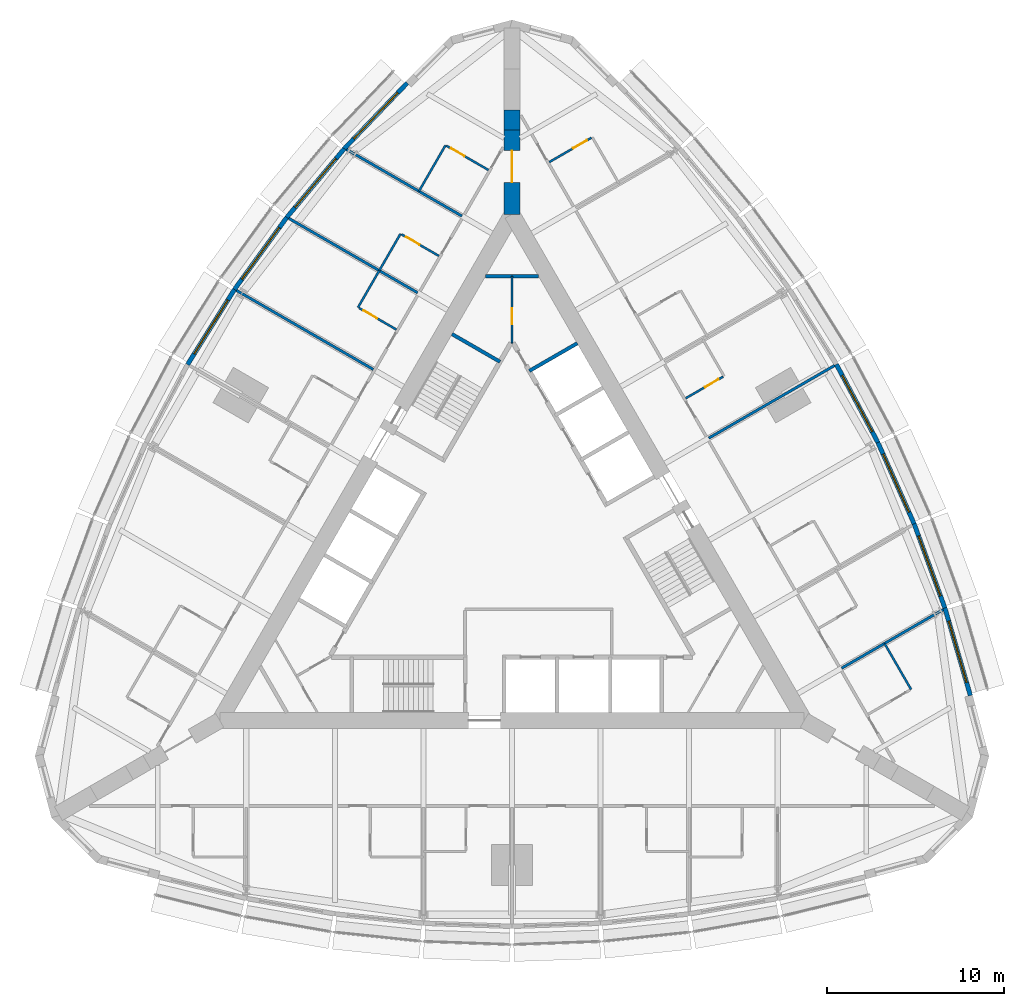
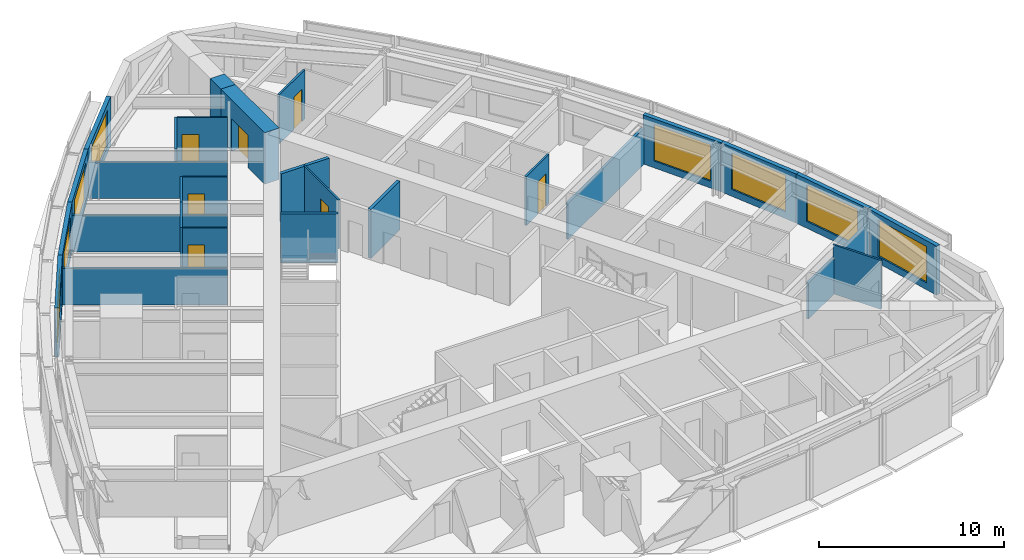
# One storey, part 12 of 14: 28 walls, 8 windows, 7 doors, 15 openings.
"""IFC4 building model written with IfcOpenShell, lengths in metres."""

from ifc_helpers import new_model, si_unit, direction, frame, frame_2d, origin, place, context, subcontext, project, spatial, rectangle, extrude, material, layer, layer_set, type_object, element, fill, save


model = new_model("IFC4")

# Units and contexts
model_context = context("Model", 3, precision=1e-05, world=origin(), true_north=direction((0.0, 1.0)))
body_context = subcontext(model_context, "Body", "Model", "MODEL_VIEW")
ifc_project = project(units=[si_unit("LENGTHUNIT", "METRE"), si_unit("AREAUNIT", "SQUARE_METRE"), si_unit("VOLUMEUNIT", "CUBIC_METRE"), si_unit("PLANEANGLEUNIT", "RADIAN"), si_unit("MASSUNIT", "GRAM", prefix="KILO")], contexts=[model_context])

# Site, building, storey
site_placement = place(None, origin())
site = spatial("IfcSite", under=ifc_project, at=site_placement, CompositionType="ELEMENT")
building_placement = place(site_placement, origin())
building = spatial("IfcBuilding", under=site, at=building_placement, Name="Trikona Tower", CompositionType="ELEMENT")
storey_placement = place(building_placement, frame((0.0, 0.0, 128.300048828125)))
storey = spatial("IfcBuildingStorey", under=building, at=storey_placement, Name="L33", CompositionType="ELEMENT", Elevation=128.300048828125)

# Wall
ifc_material_1 = material(Name="Metal stud and cement board", Category="gypsum")
ifc_layer_1 = layer(ifc_material_1, 0.1201171875)
ifc_layer_set_1 = layer_set([ifc_layer_1], Name="Bathroom wall 120")
wall_type_1 = type_object("IfcWallType", Name="Bathroom wall 120", PredefinedType="PLUMBINGWALL", material=ifc_layer_set_1)
wall_1_placement = place(storey_placement, frame((22.53271484375, -7.775390625, 0.0), z_axis=(0.0, 0.0, 1.0), x_axis=(-0.499990139034, 0.866031096941, 0.0)))
element("IfcWall", 1, at=wall_1_placement, inside=storey, type_object=wall_type_1, Name="Bathroom wall 3306", PredefinedType="PLUMBINGWALL", context=body_context, shape_type="SweptSolid", body=[
    extrude(rectangle(XDim=3.0, YDim=0.1201171875, at=frame_2d((1.5, 0.0))), origin(), (0.0, 0.0, 1.0), 3.23486328125),
])

# Wall, opening, door
wall_2_placement = place(storey_placement, frame((9.807861328125, 8.664794921875, 0.0), z_axis=(0.0, 0.0, 1.0), x_axis=(0.866023955769, 0.500002508028, 0.0)))
wall_2 = element("IfcWall", 2, at=wall_2_placement, inside=storey, type_object=wall_type_1, Name="Bathroom wall 3309", PredefinedType="PLUMBINGWALL", context=body_context, shape_type="SweptSolid", body=[
    extrude(rectangle(XDim=2.43994140625, YDim=0.1201171875, at=frame_2d((1.219970703125, 0.0))), origin(), (0.0, 0.0, 1.0), 3.23486328125),
])
opening_1_placement = place(wall_2_placement, frame((1.25, 0.0, 0.0)))
opening_1 = element("IfcOpeningElement", 3, at=opening_1_placement, cuts=wall_2, Name="Opening D2", PredefinedType="OPENING", context=body_context, shape_type="SweptSolid", body=[
    extrude(rectangle(XDim=0.89990234375, YDim=2.1298828125, at=frame_2d((0.449951171875, 1.06494140625))), frame((0.0, 0.070068359375, 0.0), z_axis=(0.0, -1.0, 0.0), x_axis=(1.0, 0.0, 0.0)), (0.0, 0.0, 1.0), 0.14013671875),
])
ifc_material_2 = material(Name="Steel door frame with solid-core timber leaf", Category="steel")
door_type_1 = type_object("IfcDoorType", Name="Bathroom door 900x2130", OperationType="SLIDING_TO_LEFT", PredefinedType="DOOR", material=ifc_material_2)
door_1_placement = place(opening_1_placement, origin())
door_1 = element("IfcDoor", 4, at=door_1_placement, inside=storey, type_object=door_type_1, Name="Bathroom door 3309", OperationType="SLIDING_TO_LEFT", OverallHeight=2.1298828125, OverallWidth=0.89990234375, PredefinedType="DOOR", context=body_context, shape_type="SweptSolid", body=[
    extrude(rectangle(XDim=0.89990234375, YDim=2.1298828125, at=frame_2d((0.449951171875, 1.06494140625))), frame((0.0, 0.02490234375, 0.0), z_axis=(0.0, -1.0, 0.0), x_axis=(1.0, 0.0, 0.0)), (0.0, 0.0, 1.0), 0.050048828125),
])
fill(opening_1, door_1)

wall_3_placement = place(storey_placement, frame((2.10791015625, 22.001708984375, 0.0), z_axis=(0.0, 0.0, 1.0), x_axis=(0.866035715982, 0.499982138324, 0.0)))
wall_3 = element("IfcWall", 5, at=wall_3_placement, inside=storey, type_object=wall_type_1, Name="Bathroom wall 3311", PredefinedType="PLUMBINGWALL", context=body_context, shape_type="SweptSolid", body=[
    extrude(rectangle(XDim=2.73974609375, YDim=0.1201171875, at=frame_2d((1.369873046875, 0.0))), origin(), (0.0, 0.0, 1.0), 3.23486328125),
])
opening_2_placement = place(wall_3_placement, frame((1.550048828125, 0.0, 0.0)))
opening_2 = element("IfcOpeningElement", 6, at=opening_2_placement, cuts=wall_3, Name="Opening D2", PredefinedType="OPENING", context=body_context, shape_type="SweptSolid", body=[
    extrude(rectangle(XDim=0.89990234375, YDim=2.1298828125, at=frame_2d((0.449951171875, 1.06494140625))), frame((0.0, 0.070068359375, 0.0), z_axis=(0.0, -1.0, 0.0), x_axis=(1.0, 0.0, 0.0)), (0.0, 0.0, 1.0), 0.14013671875),
])
door_2_placement = place(opening_2_placement, origin())
door_2 = element("IfcDoor", 7, at=door_2_placement, inside=storey, type_object=door_type_1, Name="Bathroom door 3311", OperationType="SLIDING_TO_LEFT", OverallHeight=2.1298828125, OverallWidth=0.89990234375, PredefinedType="DOOR", context=body_context, shape_type="SweptSolid", body=[
    extrude(rectangle(XDim=0.89990234375, YDim=2.1298828125, at=frame_2d((0.449951171875, 1.06494140625))), frame((0.0, 0.02490234375, 0.0), z_axis=(0.0, -1.0, 0.0), x_axis=(1.0, 0.0, 0.0)), (0.0, 0.0, 1.0), 0.050048828125),
])
fill(opening_2, door_2)

# Wall
wall_4_placement = place(storey_placement, frame((-3.75341796875, 22.95166015625, 0.0), z_axis=(0.0, 0.0, 1.0), x_axis=(-0.499990139034, -0.866031096941, 0.0)))
element("IfcWall", 8, at=wall_4_placement, inside=storey, type_object=wall_type_1, Name="Bathroom wall 3312", PredefinedType="PLUMBINGWALL", context=body_context, shape_type="SweptSolid", body=[
    extrude(rectangle(XDim=3.0, YDim=0.1201171875, at=frame_2d((1.5, 0.0))), origin(), (0.0, 0.0, 1.0), 3.23486328125),
])

# Wall, opening, door
wall_5_placement = place(storey_placement, frame((-1.32861328125, 21.551513671875, 0.0), z_axis=(0.0, 0.0, 1.0), x_axis=(-0.865997131366, 0.500048966069, 0.0)))
wall_5 = element("IfcWall", 9, at=wall_5_placement, inside=storey, type_object=wall_type_1, Name="Bathroom wall 3312", PredefinedType="PLUMBINGWALL", context=body_context, shape_type="SweptSolid", body=[
    extrude(rectangle(XDim=2.739990234375, YDim=0.1201171875, at=frame_2d((1.3701171875, 0.0))), origin(), (0.0, 0.0, 1.0), 3.23486328125),
])
opening_3_placement = place(wall_5_placement, frame((1.550048828125, 0.0, 0.0)))
opening_3 = element("IfcOpeningElement", 10, at=opening_3_placement, cuts=wall_5, Name="Opening D2", PredefinedType="OPENING", context=body_context, shape_type="SweptSolid", body=[
    extrude(rectangle(XDim=0.89990234375, YDim=2.1298828125, at=frame_2d((0.449951171875, 1.06494140625))), frame((0.0, 0.070068359375, 0.0), z_axis=(0.0, -1.0, 0.0), x_axis=(1.0, 0.0, 0.0)), (0.0, 0.0, 1.0), 0.14013671875),
])
door_3_placement = place(opening_3_placement, origin())
door_3 = element("IfcDoor", 11, at=door_3_placement, inside=storey, type_object=door_type_1, Name="Bathroom door 3312", OperationType="SLIDING_TO_LEFT", OverallHeight=2.1298828125, OverallWidth=0.89990234375, PredefinedType="DOOR", context=body_context, shape_type="SweptSolid", body=[
    extrude(rectangle(XDim=0.89990234375, YDim=2.1298828125, at=frame_2d((0.449951171875, 1.06494140625))), frame((0.0, 0.02490234375, 0.0), z_axis=(0.0, -1.0, 0.0), x_axis=(1.0, 0.0, 0.0)), (0.0, 0.0, 1.0), 0.050048828125),
])
fill(opening_3, door_3)

# Wall
wall_6_placement = place(storey_placement, frame((-6.29345703125, 17.951904296875, 0.0), z_axis=(0.0, 0.0, 1.0), x_axis=(-0.499957262057, -0.866050077142, 0.0)))
element("IfcWall", 12, at=wall_6_placement, inside=storey, type_object=wall_type_1, Name="Bathroom wall 3313", PredefinedType="PLUMBINGWALL", context=body_context, shape_type="SweptSolid", body=[
    extrude(rectangle(XDim=2.400146484375, YDim=0.1201171875, at=frame_2d((1.2001953125, 0.0))), origin(), (0.0, 0.0, 1.0), 3.23486328125),
])

# Wall, opening, door
wall_7_placement = place(storey_placement, frame((-4.12841796875, 16.701904296875, 0.0), z_axis=(0.0, 0.0, 1.0), x_axis=(-0.866048967903, 0.499959183527, 0.0)))
wall_7 = element("IfcWall", 13, at=wall_7_placement, inside=storey, type_object=wall_type_1, Name="Bathroom wall 3313", PredefinedType="PLUMBINGWALL", context=body_context, shape_type="SweptSolid", body=[
    extrude(rectangle(XDim=2.440185546875, YDim=0.1201171875, at=frame_2d((1.22021484375, 0.0))), origin(), (0.0, 0.0, 1.0), 3.23486328125),
])
opening_4_placement = place(wall_7_placement, frame((1.25, 0.0, 0.0)))
opening_4 = element("IfcOpeningElement", 14, at=opening_4_placement, cuts=wall_7, Name="Opening D2", PredefinedType="OPENING", context=body_context, shape_type="SweptSolid", body=[
    extrude(rectangle(XDim=0.89990234375, YDim=2.1298828125, at=frame_2d((0.449951171875, 1.06494140625))), frame((0.0, 0.070068359375, 0.0), z_axis=(0.0, -1.0, 0.0), x_axis=(1.0, 0.0, 0.0)), (0.0, 0.0, 1.0), 0.14013671875),
])
door_4_placement = place(opening_4_placement, origin())
door_4 = element("IfcDoor", 15, at=door_4_placement, inside=storey, type_object=door_type_1, Name="Bathroom door 3313", OperationType="SLIDING_TO_LEFT", OverallHeight=2.1298828125, OverallWidth=0.89990234375, PredefinedType="DOOR", context=body_context, shape_type="SweptSolid", body=[
    extrude(rectangle(XDim=0.89990234375, YDim=2.1298828125, at=frame_2d((0.449951171875, 1.06494140625))), frame((0.0, 0.02490234375, 0.0), z_axis=(0.0, -1.0, 0.0), x_axis=(1.0, 0.0, 0.0)), (0.0, 0.0, 1.0), 0.050048828125),
])
fill(opening_4, door_4)

# Wall
wall_8_placement = place(storey_placement, frame((-7.493408203125, 15.873291015625, 0.0), z_axis=(0.0, 0.0, 1.0), x_axis=(-0.500077600433, -0.865980596518, 0.0)))
element("IfcWall", 16, at=wall_8_placement, inside=storey, type_object=wall_type_1, Name="Bathroom wall 3314", PredefinedType="PLUMBINGWALL", context=body_context, shape_type="SweptSolid", body=[
    extrude(rectangle(XDim=2.39990234375, YDim=0.1201171875, at=frame_2d((1.199951171875, 0.0))), origin(), (0.0, 0.0, 1.0), 3.23486328125),
])

# Wall, opening, door
wall_9_placement = place(storey_placement, frame((-6.528564453125, 12.544921875, 0.0), z_axis=(0.0, 0.0, 1.0), x_axis=(-0.866023955769, 0.500002508028, 0.0)))
wall_9 = element("IfcWall", 17, at=wall_9_placement, inside=storey, type_object=wall_type_1, Name="Bathroom wall 3314", PredefinedType="PLUMBINGWALL", context=body_context, shape_type="SweptSolid", body=[
    extrude(rectangle(XDim=2.43994140625, YDim=0.1201171875, at=frame_2d((1.219970703125, 0.0))), origin(), (0.0, 0.0, 1.0), 3.23486328125),
])
opening_5_placement = place(wall_9_placement, frame((1.25, 0.0, 0.0)))
opening_5 = element("IfcOpeningElement", 18, at=opening_5_placement, cuts=wall_9, Name="Opening D2", PredefinedType="OPENING", context=body_context, shape_type="SweptSolid", body=[
    extrude(rectangle(XDim=0.89990234375, YDim=2.1298828125, at=frame_2d((0.449951171875, 1.06494140625))), frame((0.0, 0.070068359375, 0.0), z_axis=(0.0, -1.0, 0.0), x_axis=(1.0, 0.0, 0.0)), (0.0, 0.0, 1.0), 0.14013671875),
])
door_5_placement = place(opening_5_placement, origin())
door_5 = element("IfcDoor", 19, at=door_5_placement, inside=storey, type_object=door_type_1, Name="Bathroom door 3314", OperationType="SLIDING_TO_LEFT", OverallHeight=2.1298828125, OverallWidth=0.89990234375, PredefinedType="DOOR", context=body_context, shape_type="SweptSolid", body=[
    extrude(rectangle(XDim=0.89990234375, YDim=2.1298828125, at=frame_2d((0.449951171875, 1.06494140625))), frame((0.0, 0.02490234375, 0.0), z_axis=(0.0, -1.0, 0.0), x_axis=(1.0, 0.0, 0.0)), (0.0, 0.0, 1.0), 0.050048828125),
])
fill(opening_5, door_5)

ifc_material_3 = material(Name="Concrete f'c 10000 psi", Category="concrete")
ifc_layer_2 = layer(ifc_material_3, 0.89990234375)
ifc_layer_set_2 = layer_set([ifc_layer_2], Name="Buttress wall 900")
wall_type_2 = type_object("IfcWallType", Name="Buttress wall 900", PredefinedType="SHEAR", material=ifc_layer_set_2)
wall_10_placement = place(storey_placement, frame((0.0, 19.052490234375, 0.0), z_axis=(0.0, 0.0, 1.0), x_axis=(0.0, 1.0, 0.0)))
wall_10 = element("IfcWall", 20, at=wall_10_placement, inside=storey, type_object=wall_type_2, Name="Buttress wall 2", PredefinedType="SHEAR", context=body_context, shape_type="SweptSolid", body=[
    extrude(rectangle(XDim=4.74609375, YDim=0.89990234375, at=frame_2d((2.373046875, 0.0))), origin(), (0.0, 0.0, 1.0), 3.39990234375),
])
opening_6_placement = place(wall_10_placement, frame((1.800048828125, 0.0, 0.0)))
opening_6 = element("IfcOpeningElement", 21, at=opening_6_placement, cuts=wall_10, Name="Opening D10", PredefinedType="OPENING", context=body_context, shape_type="SweptSolid", body=[
    extrude(rectangle(XDim=1.800048828125, YDim=2.1298828125, at=frame_2d((0.89990234375, 1.06494140625))), frame((0.0, 0.4599609375, 0.0), z_axis=(0.0, -1.0, 0.0), x_axis=(1.0, 0.0, 0.0)), (0.0, 0.0, 1.0), 0.919921875),
])
ifc_material_4 = material(Name="Hollow metal door and frame", Category="steel")
door_type_2 = type_object("IfcDoorType", Name="Cross-corridor door pair 1800x2130", OperationType="DOUBLE_DOOR_DOUBLE_SWING", PredefinedType="DOOR", material=ifc_material_4)
door_6_placement = place(opening_6_placement, origin())
door_6 = element("IfcDoor", 22, at=door_6_placement, inside=storey, type_object=door_type_2, Name="Cross-corridor door 2", OperationType="DOUBLE_DOOR_DOUBLE_SWING", OverallHeight=2.1298828125, OverallWidth=1.800048828125, PredefinedType="DOOR", context=body_context, shape_type="SweptSolid", body=[
    extrude(rectangle(XDim=1.800048828125, YDim=2.1298828125, at=frame_2d((0.89990234375, 1.06494140625))), frame((0.0, 0.02490234375, 0.0), z_axis=(0.0, -1.0, 0.0), x_axis=(1.0, 0.0, 0.0)), (0.0, 0.0, 1.0), 0.050048828125),
])
fill(opening_6, door_6)

# Wall
wall_11_placement = place(storey_placement, frame((0.0, 23.798583984375, 0.0), z_axis=(0.0, 0.0, 1.0), x_axis=(0.0, 1.0, 0.0)))
element("IfcWall", 23, at=wall_11_placement, inside=storey, type_object=wall_type_2, Name="Buttress wall 2 part 2", PredefinedType="SHEAR", context=body_context, shape_type="SweptSolid", body=[
    extrude(rectangle(XDim=1.15478515625, YDim=0.89990234375, at=frame_2d((0.577392578125, 0.0))), origin(), (0.0, 0.0, 1.0), 3.39990234375),
])

# Wall, opening, window
ifc_material_5 = material(Name="Insulated precast concrete spandrel panel", Category="concrete")
ifc_layer_3 = layer(ifc_material_5, 0.25)
ifc_layer_set_3 = layer_set([ifc_layer_3], Name="Inner skin wall 250")
wall_type_3 = type_object("IfcWallType", Name="Inner skin wall 250", PredefinedType="STANDARD", material=ifc_layer_set_3)
wall_12_placement = place(storey_placement, frame((25.8798828125, -8.117919921875, 0.0), z_axis=(0.0, 0.0, 1.0), x_axis=(-0.279528287117, 0.960137457191, 0.0)))
wall_12 = element("IfcWall", 24, at=wall_12_placement, inside=storey, type_object=wall_type_3, Name="External wall L33-12", PredefinedType="STANDARD", context=body_context, shape_type="SweptSolid", body=[
    extrude(rectangle(XDim=5.14794921875, YDim=0.25, at=frame_2d((2.573974609375, 0.0))), origin(), (0.0, 0.0, 1.0), 3.23486328125),
])
opening_7_placement = place(wall_12_placement, frame((0.77392578125, 0.0, 0.449951171875)))
opening_7 = element("IfcOpeningElement", 25, at=opening_7_placement, cuts=wall_12, Name="Opening W3624", PredefinedType="OPENING", context=body_context, shape_type="SweptSolid", body=[
    extrude(rectangle(XDim=3.60009765625, YDim=2.39990234375, at=frame_2d((1.800048828125, 1.199951171875))), frame((0.0, 0.135009765625, 0.0), z_axis=(0.0, -1.0, 0.0), x_axis=(1.0, 0.0, 0.0)), (0.0, 0.0, 1.0), 0.27001953125),
])
ifc_material_6 = material(Name="Aluminium-framed double glazing", Category="aluminium")
window_type = type_object("IfcWindowType", Name="Window 3600x2400", PartitioningType="SINGLE_PANEL", PredefinedType="WINDOW", material=ifc_material_6)
window_1_placement = place(opening_7_placement, origin())
window_1 = element("IfcWindow", 26, at=window_1_placement, inside=storey, type_object=window_type, Name="Window 3306", OverallHeight=2.39990234375, OverallWidth=3.60009765625, PartitioningType="SINGLE_PANEL", PredefinedType="WINDOW", context=body_context, shape_type="SweptSolid", body=[
    extrude(rectangle(XDim=3.60009765625, YDim=2.39990234375, at=frame_2d((1.800048828125, 1.199951171875))), frame((0.0, 0.030029296875, 0.0), z_axis=(0.0, -1.0, 0.0), x_axis=(1.0, 0.0, 0.0)), (0.0, 0.0, 1.0), 0.06005859375),
])
fill(opening_7, window_1)

wall_13_placement = place(storey_placement, frame((24.443603515625, -3.18310546875, 0.0), z_axis=(0.0, 0.0, 1.0), x_axis=(-0.343225593282, 0.939252996863, 0.0)))
wall_13 = element("IfcWall", 27, at=wall_13_placement, inside=storey, type_object=wall_type_3, Name="External wall L33-13", PredefinedType="STANDARD", context=body_context, shape_type="SweptSolid", body=[
    extrude(rectangle(XDim=5.075927734375, YDim=0.25, at=frame_2d((2.5380859375, 0.0))), origin(), (0.0, 0.0, 1.0), 3.23486328125),
])
opening_8_placement = place(wall_13_placement, frame((0.738037109375, 0.0, 0.449951171875)))
opening_8 = element("IfcOpeningElement", 28, at=opening_8_placement, cuts=wall_13, Name="Opening W3624", PredefinedType="OPENING", context=body_context, shape_type="SweptSolid", body=[
    extrude(rectangle(XDim=3.60009765625, YDim=2.39990234375, at=frame_2d((1.800048828125, 1.199951171875))), frame((0.0, 0.135009765625, 0.0), z_axis=(0.0, -1.0, 0.0), x_axis=(1.0, 0.0, 0.0)), (0.0, 0.0, 1.0), 0.27001953125),
])
window_2_placement = place(opening_8_placement, origin())
window_2 = element("IfcWindow", 29, at=window_2_placement, inside=storey, type_object=window_type, Name="Window 3307", OverallHeight=2.39990234375, OverallWidth=3.60009765625, PartitioningType="SINGLE_PANEL", PredefinedType="WINDOW", context=body_context, shape_type="SweptSolid", body=[
    extrude(rectangle(XDim=3.60009765625, YDim=2.39990234375, at=frame_2d((1.800048828125, 1.199951171875))), frame((0.0, 0.030029296875, 0.0), z_axis=(0.0, -1.0, 0.0), x_axis=(1.0, 0.0, 0.0)), (0.0, 0.0, 1.0), 0.06005859375),
])
fill(opening_8, window_2)

wall_14_placement = place(storey_placement, frame((22.70458984375, 1.576416015625, 0.0), z_axis=(0.0, 0.0, 1.0), x_axis=(-0.406832200364, 0.913502906808, 0.0)))
wall_14 = element("IfcWall", 30, at=wall_14_placement, inside=storey, type_object=wall_type_3, Name="External wall L33-14", PredefinedType="STANDARD", context=body_context, shape_type="SweptSolid", body=[
    extrude(rectangle(XDim=5.027587890625, YDim=0.25, at=frame_2d((2.513671875, 0.0))), origin(), (0.0, 0.0, 1.0), 3.23486328125),
])
opening_9_placement = place(wall_14_placement, frame((0.713623046875, 0.0, 0.449951171875)))
opening_9 = element("IfcOpeningElement", 31, at=opening_9_placement, cuts=wall_14, Name="Opening W3624", PredefinedType="OPENING", context=body_context, shape_type="SweptSolid", body=[
    extrude(rectangle(XDim=3.60009765625, YDim=2.39990234375, at=frame_2d((1.800048828125, 1.199951171875))), frame((0.0, 0.135009765625, 0.0), z_axis=(0.0, -1.0, 0.0), x_axis=(1.0, 0.0, 0.0)), (0.0, 0.0, 1.0), 0.27001953125),
])
window_3_placement = place(opening_9_placement, origin())
window_3 = element("IfcWindow", 32, at=window_3_placement, inside=storey, type_object=window_type, Name="Window 3308", OverallHeight=2.39990234375, OverallWidth=3.60009765625, PartitioningType="SINGLE_PANEL", PredefinedType="WINDOW", context=body_context, shape_type="SweptSolid", body=[
    extrude(rectangle(XDim=3.60009765625, YDim=2.39990234375, at=frame_2d((1.800048828125, 1.199951171875))), frame((0.0, 0.030029296875, 0.0), z_axis=(0.0, -1.0, 0.0), x_axis=(1.0, 0.0, 0.0)), (0.0, 0.0, 1.0), 0.06005859375),
])
fill(opening_9, window_3)

wall_15_placement = place(storey_placement, frame((20.662841796875, 6.161376953125, 0.0), z_axis=(0.0, 0.0, 1.0), x_axis=(-0.469404966864, 0.882982999317, 0.0)))
wall_15 = element("IfcWall", 33, at=wall_15_placement, inside=storey, type_object=wall_type_3, Name="External wall L33-15", PredefinedType="STANDARD", context=body_context, shape_type="SweptSolid", body=[
    extrude(rectangle(XDim=5.0029296875, YDim=0.25, at=frame_2d((2.50146484375, 0.0))), origin(), (0.0, 0.0, 1.0), 3.23486328125),
])
opening_10_placement = place(wall_15_placement, frame((0.701416015625, 0.0, 0.449951171875)))
opening_10 = element("IfcOpeningElement", 34, at=opening_10_placement, cuts=wall_15, Name="Opening W3624", PredefinedType="OPENING", context=body_context, shape_type="SweptSolid", body=[
    extrude(rectangle(XDim=3.60009765625, YDim=2.39990234375, at=frame_2d((1.800048828125, 1.199951171875))), frame((0.0, 0.135009765625, 0.0), z_axis=(0.0, -1.0, 0.0), x_axis=(1.0, 0.0, 0.0)), (0.0, 0.0, 1.0), 0.27001953125),
])
window_4_placement = place(opening_10_placement, origin())
window_4 = element("IfcWindow", 35, at=window_4_placement, inside=storey, type_object=window_type, Name="Window 3308", OverallHeight=2.39990234375, OverallWidth=3.60009765625, PartitioningType="SINGLE_PANEL", PredefinedType="WINDOW", context=body_context, shape_type="SweptSolid", body=[
    extrude(rectangle(XDim=3.60009765625, YDim=2.39990234375, at=frame_2d((1.800048828125, 1.199951171875))), frame((0.0, 0.030029296875, 0.0), z_axis=(0.0, -1.0, 0.0), x_axis=(1.0, 0.0, 0.0)), (0.0, 0.0, 1.0), 0.06005859375),
])
fill(opening_10, window_4)

wall_16_placement = place(storey_placement, frame((-5.90966796875, 26.4716796875, 0.0), z_axis=(0.0, 0.0, 1.0), x_axis=(-0.691719937936, -0.722165858693, 0.0)))
wall_16 = element("IfcWall", 36, at=wall_16_placement, inside=storey, type_object=wall_type_3, Name="External wall L33-24", PredefinedType="STANDARD", context=body_context, shape_type="SweptSolid", body=[
    extrude(rectangle(XDim=5.148193359375, YDim=0.25, at=frame_2d((2.57421875, 0.0))), origin(), (0.0, 0.0, 1.0), 3.23486328125),
])
opening_11_placement = place(wall_16_placement, frame((0.77392578125, 0.0, 0.449951171875)))
opening_11 = element("IfcOpeningElement", 37, at=opening_11_placement, cuts=wall_16, Name="Opening W3624", PredefinedType="OPENING", context=body_context, shape_type="SweptSolid", body=[
    extrude(rectangle(XDim=3.60009765625, YDim=2.39990234375, at=frame_2d((1.800048828125, 1.199951171875))), frame((0.0, 0.135009765625, 0.0), z_axis=(0.0, -1.0, 0.0), x_axis=(1.0, 0.0, 0.0)), (0.0, 0.0, 1.0), 0.27001953125),
])
window_5_placement = place(opening_11_placement, origin())
window_5 = element("IfcWindow", 38, at=window_5_placement, inside=storey, type_object=window_type, Name="Window 3312", OverallHeight=2.39990234375, OverallWidth=3.60009765625, PartitioningType="SINGLE_PANEL", PredefinedType="WINDOW", context=body_context, shape_type="SweptSolid", body=[
    extrude(rectangle(XDim=3.60009765625, YDim=2.39990234375, at=frame_2d((1.800048828125, 1.199951171875))), frame((0.0, 0.030029296875, 0.0), z_axis=(0.0, -1.0, 0.0), x_axis=(1.0, 0.0, 0.0)), (0.0, 0.0, 1.0), 0.06005859375),
])
fill(opening_11, window_5)

wall_17_placement = place(storey_placement, frame((-9.465087890625, 22.76025390625, 0.0), z_axis=(0.0, 0.0, 1.0), x_axis=(-0.641810386606, -0.766863369607, 0.0)))
wall_17 = element("IfcWall", 39, at=wall_17_placement, inside=storey, type_object=wall_type_3, Name="External wall L33-25", PredefinedType="STANDARD", context=body_context, shape_type="SweptSolid", body=[
    extrude(rectangle(XDim=5.075927734375, YDim=0.25, at=frame_2d((2.5380859375, 0.0))), origin(), (0.0, 0.0, 1.0), 3.23486328125),
])
opening_12_placement = place(wall_17_placement, frame((0.738037109375, 0.0, 0.449951171875)))
opening_12 = element("IfcOpeningElement", 40, at=opening_12_placement, cuts=wall_17, Name="Opening W3624", PredefinedType="OPENING", context=body_context, shape_type="SweptSolid", body=[
    extrude(rectangle(XDim=3.60009765625, YDim=2.39990234375, at=frame_2d((1.800048828125, 1.199951171875))), frame((0.0, 0.135009765625, 0.0), z_axis=(0.0, -1.0, 0.0), x_axis=(1.0, 0.0, 0.0)), (0.0, 0.0, 1.0), 0.27001953125),
])
window_6_placement = place(opening_12_placement, origin())
window_6 = element("IfcWindow", 41, at=window_6_placement, inside=storey, type_object=window_type, Name="Window 3313", OverallHeight=2.39990234375, OverallWidth=3.60009765625, PartitioningType="SINGLE_PANEL", PredefinedType="WINDOW", context=body_context, shape_type="SweptSolid", body=[
    extrude(rectangle(XDim=3.60009765625, YDim=2.39990234375, at=frame_2d((1.800048828125, 1.199951171875))), frame((0.0, 0.030029296875, 0.0), z_axis=(0.0, -1.0, 0.0), x_axis=(1.0, 0.0, 0.0)), (0.0, 0.0, 1.0), 0.06005859375),
])
fill(opening_12, window_6)

wall_18_placement = place(storey_placement, frame((-12.717529296875, 18.87451171875, 0.0), z_axis=(0.0, 0.0, 1.0), x_axis=(-0.587669188412, -0.809101307001, 0.0)))
wall_18 = element("IfcWall", 42, at=wall_18_placement, inside=storey, type_object=wall_type_3, Name="External wall L33-26", PredefinedType="STANDARD", context=body_context, shape_type="SweptSolid", body=[
    extrude(rectangle(XDim=5.027587890625, YDim=0.25, at=frame_2d((2.513671875, 0.0))), origin(), (0.0, 0.0, 1.0), 3.23486328125),
])
opening_13_placement = place(wall_18_placement, frame((0.7138671875, 0.0, 0.449951171875)))
opening_13 = element("IfcOpeningElement", 43, at=opening_13_placement, cuts=wall_18, Name="Opening W3624", PredefinedType="OPENING", context=body_context, shape_type="SweptSolid", body=[
    extrude(rectangle(XDim=3.60009765625, YDim=2.39990234375, at=frame_2d((1.800048828125, 1.199951171875))), frame((0.0, 0.135009765625, 0.0), z_axis=(0.0, -1.0, 0.0), x_axis=(1.0, 0.0, 0.0)), (0.0, 0.0, 1.0), 0.27001953125),
])
window_7_placement = place(opening_13_placement, origin())
window_7 = element("IfcWindow", 44, at=window_7_placement, inside=storey, type_object=window_type, Name="Window 3314", OverallHeight=2.39990234375, OverallWidth=3.60009765625, PartitioningType="SINGLE_PANEL", PredefinedType="WINDOW", context=body_context, shape_type="SweptSolid", body=[
    extrude(rectangle(XDim=3.60009765625, YDim=2.39990234375, at=frame_2d((1.800048828125, 1.199951171875))), frame((0.0, 0.030029296875, 0.0), z_axis=(0.0, -1.0, 0.0), x_axis=(1.0, 0.0, 0.0)), (0.0, 0.0, 1.0), 0.06005859375),
])
fill(opening_13, window_7)

wall_19_placement = place(storey_placement, frame((-15.667236328125, 14.81396484375, 0.0), z_axis=(0.0, 0.0, 1.0), x_axis=(-0.529990167382, -0.84800378683, 0.0)))
wall_19 = element("IfcWall", 45, at=wall_19_placement, inside=storey, type_object=wall_type_3, Name="External wall L33-27", PredefinedType="STANDARD", context=body_context, shape_type="SweptSolid", body=[
    extrude(rectangle(XDim=5.003173828125, YDim=0.25, at=frame_2d((2.50146484375, 0.0))), origin(), (0.0, 0.0, 1.0), 3.23486328125),
])
opening_14_placement = place(wall_19_placement, frame((0.701416015625, 0.0, 0.449951171875)))
opening_14 = element("IfcOpeningElement", 46, at=opening_14_placement, cuts=wall_19, Name="Opening W3624", PredefinedType="OPENING", context=body_context, shape_type="SweptSolid", body=[
    extrude(rectangle(XDim=3.60009765625, YDim=2.39990234375, at=frame_2d((1.800048828125, 1.199951171875))), frame((0.0, 0.135009765625, 0.0), z_axis=(0.0, -1.0, 0.0), x_axis=(1.0, 0.0, 0.0)), (0.0, 0.0, 1.0), 0.27001953125),
])
window_8_placement = place(opening_14_placement, origin())
window_8 = element("IfcWindow", 47, at=window_8_placement, inside=storey, type_object=window_type, Name="Window 3315", OverallHeight=2.39990234375, OverallWidth=3.60009765625, PartitioningType="SINGLE_PANEL", PredefinedType="WINDOW", context=body_context, shape_type="SweptSolid", body=[
    extrude(rectangle(XDim=3.60009765625, YDim=2.39990234375, at=frame_2d((1.800048828125, 1.199951171875))), frame((0.0, 0.030029296875, 0.0), z_axis=(0.0, -1.0, 0.0), x_axis=(1.0, 0.0, 0.0)), (0.0, 0.0, 1.0), 0.06005859375),
])
fill(opening_14, window_8)

# Walls
ifc_material_7 = material(Name="Metal stud and gypsum board, 1-hour acoustic", Category="gypsum")
ifc_layer_4 = layer(ifc_material_7, 0.14990234375)
ifc_layer_set_4 = layer_set([ifc_layer_4], Name="Party wall 150")
wall_type_4 = type_object("IfcWallType", Name="Party wall 150", PredefinedType="PARTITIONING", material=ifc_layer_set_4)
wall_20_placement = place(storey_placement, frame((18.60791015625, -6.5771484375, 0.0), z_axis=(0.0, 0.0, 1.0), x_axis=(0.866031967744, 0.499988630717, 0.0)))
element("IfcWall", 48, at=wall_20_placement, inside=storey, type_object=wall_type_4, Name="Partition L33 F2 u-15", PredefinedType="PARTITIONING", context=body_context, shape_type="SweptSolid", body=[
    extrude(rectangle(XDim=6.616455078125, YDim=0.14990234375, at=frame_2d((3.30810546875, 0.0))), origin(), (0.0, 0.0, 1.0), 2.38916015625),
])
wall_21_placement = place(storey_placement, frame((11.10791015625, 6.4130859375, 0.0), z_axis=(0.0, 0.0, 1.0), x_axis=(0.866026407964, 0.499998260706, 0.0)))
element("IfcWall", 49, at=wall_21_placement, inside=storey, type_object=wall_type_4, Name="Partition L33 F2 u-4.44089e-15", PredefinedType="PARTITIONING", context=body_context, shape_type="SweptSolid", body=[
    extrude(rectangle(XDim=8.19873046875, YDim=0.14990234375, at=frame_2d((4.099365234375, 0.0))), origin(), (0.0, 0.0, 1.0), 2.38916015625),
])
wall_22_placement = place(storey_placement, frame((-2.82861328125, 18.95361328125, 0.0), z_axis=(0.0, 0.0, 1.0), x_axis=(-0.866015739374, 0.500016738876, 0.0)))
element("IfcWall", 50, at=wall_22_placement, inside=storey, type_object=wall_type_4, Name="Partition L33 F3 u-15", PredefinedType="PARTITIONING", context=body_context, shape_type="SweptSolid", body=[
    extrude(rectangle(XDim=7.516357421875, YDim=0.14990234375, at=frame_2d((3.75830078125, 0.0))), origin(), (0.0, 0.0, 1.0), 2.38916015625),
])
wall_23_placement = place(storey_placement, frame((-5.32861328125, 14.623291015625, 0.0), z_axis=(0.0, 0.0, 1.0), x_axis=(-0.866011723728, 0.500023693804, 0.0)))
element("IfcWall", 51, at=wall_23_placement, inside=storey, type_object=wall_type_4, Name="Partition L33 F3 u-10", PredefinedType="PARTITIONING", context=body_context, shape_type="SweptSolid", body=[
    extrude(rectangle(XDim=8.39501953125, YDim=0.14990234375, at=frame_2d((4.197509765625, 0.0))), origin(), (0.0, 0.0, 1.0), 2.38916015625),
])
wall_24_placement = place(storey_placement, frame((-7.82861328125, 10.293212890625, 0.0), z_axis=(0.0, 0.0, 1.0), x_axis=(-0.866027015393, 0.499997208602, 0.0)))
element("IfcWall", 52, at=wall_24_placement, inside=storey, type_object=wall_type_4, Name="Partition L33 F3 u-5", PredefinedType="PARTITIONING", context=body_context, shape_type="SweptSolid", body=[
    extrude(rectangle(XDim=8.92236328125, YDim=0.14990234375, at=frame_2d((4.461181640625, 0.0))), origin(), (0.0, 0.0, 1.0), 2.38916015625),
])
ifc_material_8 = material(Name="Concrete f'c 8000 psi", Category="concrete")
ifc_layer_5 = layer(ifc_material_8, 0.199951171875)
ifc_layer_set_5 = layer_set([ifc_layer_5], Name="Shaft wall 200")
wall_type_5 = type_object("IfcWallType", Name="Shaft wall 200", PredefinedType="SOLIDWALL", material=ifc_layer_set_5)
wall_25_placement = place(storey_placement, frame((0.97900390625, 10.20703125, 0.0), z_axis=(0.0, 0.0, 1.0), x_axis=(0.866022959057, 0.500004234368, 0.0)))
element("IfcWall", 53, at=wall_25_placement, inside=storey, type_object=wall_type_5, Name="Shaft wall B6", PredefinedType="SOLIDWALL", context=body_context, shape_type="SweptSolid", body=[
    extrude(rectangle(XDim=3.125, YDim=0.199951171875, at=frame_2d((1.5625, 0.0))), origin(), (0.0, 0.0, 1.0), 3.23486328125),
])
wall_26_placement = place(storey_placement, frame((-1.501220703125, 15.552490234375, 0.0), z_axis=(0.0, 0.0, 1.0), x_axis=(1.0, 0.0, 0.0)))
element("IfcWall", 54, at=wall_26_placement, inside=storey, type_object=wall_type_5, Name="Riser wall L33-RS2", PredefinedType="SOLIDWALL", context=body_context, shape_type="SweptSolid", body=[
    extrude(rectangle(XDim=3.00244140625, YDim=0.199951171875, at=frame_2d((1.501220703125, 0.0))), origin(), (0.0, 0.0, 1.0), 3.23486328125),
])
ifc_material_9 = material(Name="Concrete f'c 8000 psi", Category="concrete")
ifc_layer_6 = layer(ifc_material_9, 0.199951171875)
ifc_layer_set_6 = layer_set([ifc_layer_6], Name="Shaft wall 200 load-bearing")
wall_type_6 = type_object("IfcWallType", Name="Shaft wall 200 load-bearing", PredefinedType="SOLIDWALL", material=ifc_layer_set_6)
wall_27_placement = place(storey_placement, frame((-0.678955078125, 10.7265625, 0.0), z_axis=(0.0, 0.0, 1.0), x_axis=(-0.866022959057, 0.500004234368, 0.0)))
element("IfcWall", 55, at=wall_27_placement, inside=storey, type_object=wall_type_6, Name="Shaft wall C1", PredefinedType="SOLIDWALL", context=body_context, shape_type="SweptSolid", body=[
    extrude(rectangle(XDim=3.125, YDim=0.199951171875, at=frame_2d((1.5625, 0.0))), origin(), (0.0, 0.0, 1.0), 3.23486328125),
])

# Wall, opening, door
ifc_material_10 = material(Name="Metal stud and gypsum board, acoustic", Category="gypsum")
ifc_layer_7 = layer(ifc_material_10, 0.10009765625)
ifc_layer_set_7 = layer_set([ifc_layer_7], Name="Suite partition 100")
wall_type_7 = type_object("IfcWallType", Name="Suite partition 100", PredefinedType="PARTITIONING", material=ifc_layer_set_7)
wall_28_placement = place(storey_placement, frame((0.0, 15.552490234375, 0.0), z_axis=(0.0, 0.0, 1.0), x_axis=(0.0, -1.0, 0.0)))
wall_28 = element("IfcWall", 56, at=wall_28_placement, inside=storey, type_object=wall_type_7, Name="Store partition L33-RS2", PredefinedType="PARTITIONING", context=body_context, shape_type="SweptSolid", body=[
    extrude(rectangle(XDim=3.775146484375, YDim=0.10009765625, at=frame_2d((1.8876953125, 0.0))), origin(), (0.0, 0.0, 1.0), 3.23486328125),
])
opening_15_placement = place(wall_28_placement, frame((1.815185546875, 0.0, 0.0)))
opening_15 = element("IfcOpeningElement", 57, at=opening_15_placement, cuts=wall_28, Name="Opening D15", PredefinedType="OPENING", context=body_context, shape_type="SweptSolid", body=[
    extrude(rectangle(XDim=0.89990234375, YDim=2.1298828125, at=frame_2d((0.449951171875, 1.06494140625))), frame((0.0, 0.06005859375, 0.0), z_axis=(0.0, -1.0, 0.0), x_axis=(1.0, 0.0, 0.0)), (0.0, 0.0, 1.0), 0.1201171875),
])
ifc_material_11 = material(Name="Steel door frame with solid-core timber leaf", Category="steel")
door_type_3 = type_object("IfcDoorType", Name="Store door 900x2130", OperationType="SINGLE_SWING_LEFT", PredefinedType="DOOR", material=ifc_material_11)
door_7_placement = place(opening_15_placement, origin())
door_7 = element("IfcDoor", 58, at=door_7_placement, inside=storey, type_object=door_type_3, Name="Door Luggage store LUG", OperationType="SINGLE_SWING_RIGHT", OverallHeight=2.1298828125, OverallWidth=0.89990234375, PredefinedType="DOOR", context=body_context, shape_type="SweptSolid", body=[
    extrude(rectangle(XDim=0.89990234375, YDim=2.1298828125, at=frame_2d((0.449951171875, 1.06494140625))), frame((0.0, 0.02490234375, 0.0), z_axis=(0.0, -1.0, 0.0), x_axis=(1.0, 0.0, 0.0)), (0.0, 0.0, 1.0), 0.050048828125),
])
fill(opening_15, door_7)

save(model, "model.ifc")
